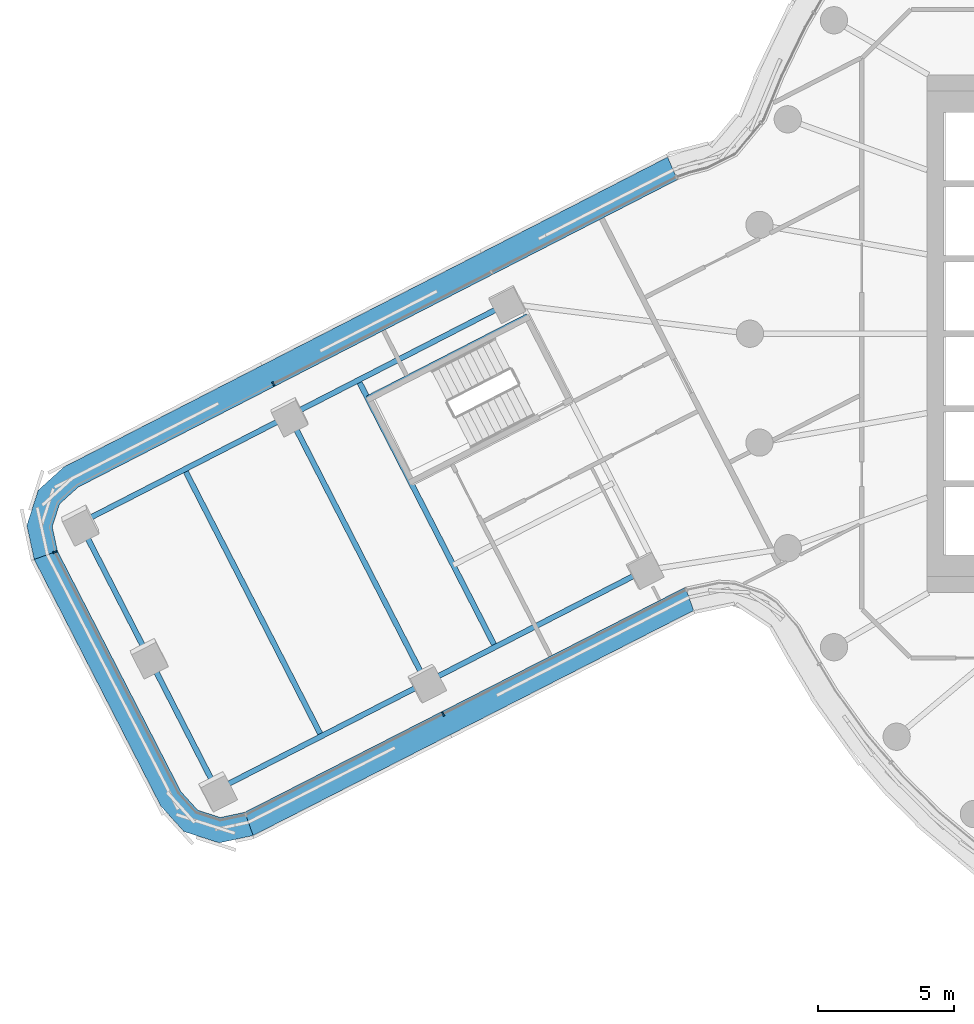
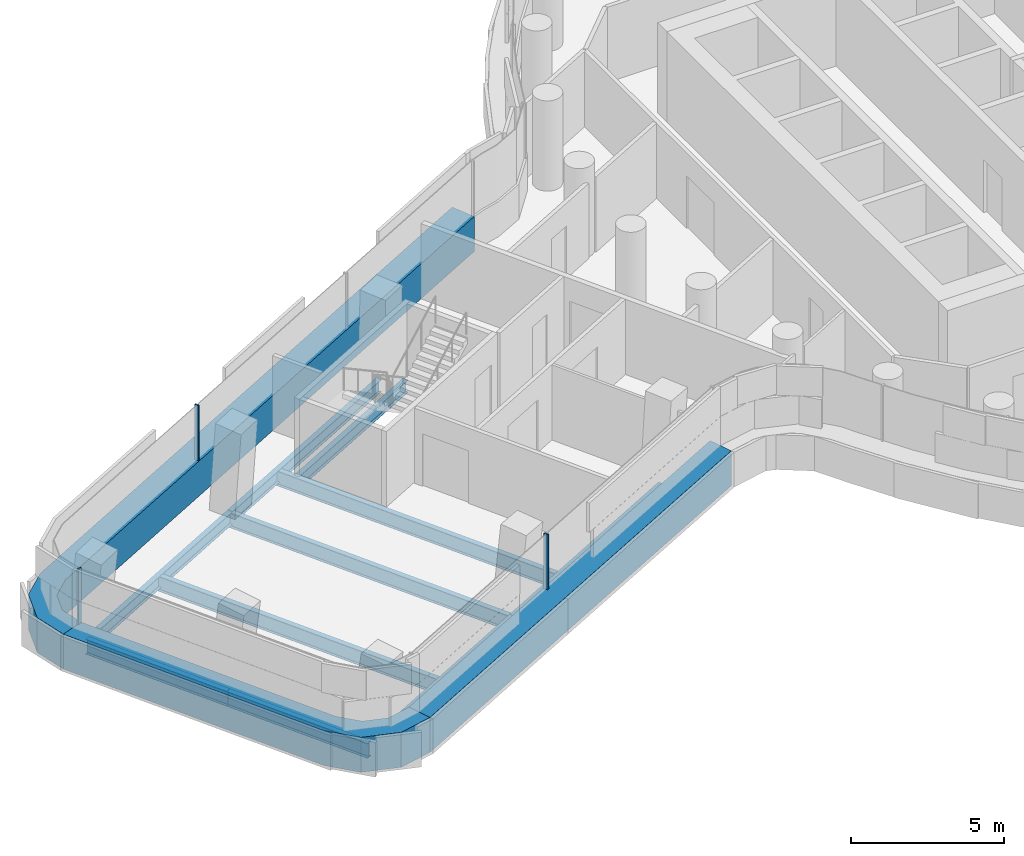
# One storey, part 7 of 37: 10 beams, 6 members, 3 elements without a shape of their own.
"""IFC4 building model written with IfcOpenShell, lengths in metres."""

from ifc_helpers import new_model, si_unit, direction, frame, origin, origin_2d, place, context, subcontext, project, spatial, polyline, rectangle, i_section, outline, extrude, material, layer, layer_set, material_profile, profile_set, type_object, element, aggregate, save


model = new_model("IFC4")

# Units and contexts
model_context = context("Model", 3, precision=1e-05, world=origin(), true_north=direction((0.0, 1.0)))
body_context = subcontext(model_context, "Body", "Model", "MODEL_VIEW")
ifc_project = project(units=[si_unit("LENGTHUNIT", "METRE"), si_unit("AREAUNIT", "SQUARE_METRE"), si_unit("VOLUMEUNIT", "CUBIC_METRE"), si_unit("PLANEANGLEUNIT", "RADIAN"), si_unit("MASSUNIT", "GRAM", prefix="KILO")], contexts=[model_context])

# Site, building, storey
site_placement = place(None, origin())
site = spatial("IfcSite", under=ifc_project, at=site_placement, CompositionType="ELEMENT")
building_placement = place(site_placement, origin())
building = spatial("IfcBuilding", under=site, at=building_placement, Name="Tamarind Cross Interchange Tower", CompositionType="ELEMENT")
storey_placement = place(building_placement, frame((0.0, 0.0, 133.0)))
storey = spatial("IfcBuildingStorey", under=building, at=storey_placement, Name="L32", CompositionType="ELEMENT", Elevation=133.0)

# Beams
ifc_material_1 = material(Name="Steel Q355B", Category="steel")
ifc_material_profile_1 = material_profile(ifc_material_1, i_section(OverallWidth=0.198974609375, OverallDepth=0.49609375, WebThickness=0.009033203125, FlangeThickness=0.013916015625, FilletRadius=0.012939453125, at=origin_2d()), Name="HN 496x199x9x14")
ifc_profile_set_1 = profile_set([ifc_material_profile_1], Name="Steel Q355B")
beam_type_1 = type_object("IfcBeamType", Name="Composite beam HN 496x199x9x14 Q355B", PredefinedType="BEAM", material=ifc_profile_set_1)
beam_1_placement = place(storey_placement, frame((-47.58251953125, -6.946044921875, -0.387939453125), z_axis=(0.88969434229, 0.456556652888, 0.0), x_axis=(-0.456556652888, 0.88969434229, 0.0)))
element("IfcBeam", 1, at=beam_1_placement, inside=storey, type_object=beam_type_1, Name="Beam W-edgeem5", PredefinedType="BEAM", context=body_context, shape_type="SweptSolid", body=[
    extrude(i_section(OverallWidth=0.198974609375, OverallDepth=0.49609375, WebThickness=0.009033203125, FlangeThickness=0.013916015625, FilletRadius=0.012939453125, at=origin_2d()), origin(), (0.0, 0.0, 1.0), 8.6318359375),
])
beam_2_placement = place(storey_placement, frame((-39.90283203125, -3.005126953125, -0.387939453125), z_axis=(0.889690622216, 0.456563902144, 0.0), x_axis=(-0.456563902144, 0.889690622216, 0.0)))
element("IfcBeam", 2, at=beam_2_placement, inside=storey, type_object=beam_type_1, Name="Beam W-edgeem6", PredefinedType="BEAM", context=body_context, shape_type="SweptSolid", body=[
    extrude(i_section(OverallWidth=0.198974609375, OverallDepth=0.49609375, WebThickness=0.009033203125, FlangeThickness=0.013916015625, FilletRadius=0.012939453125, at=origin_2d()), origin(), (0.0, 0.0, 1.0), 9.000244140625),
])
beam_3_placement = place(storey_placement, frame((-42.560546875, -16.732666015625, -0.387939453125), z_axis=(0.88970023765, 0.456545164388, 0.0), x_axis=(-0.456545164388, 0.88970023765, 0.0)))
element("IfcBeam", 3, at=beam_3_placement, inside=storey, type_object=beam_type_1, Name="Beam W-edgeep2", PredefinedType="BEAM", context=body_context, shape_type="SweptSolid", body=[
    extrude(i_section(OverallWidth=0.198974609375, OverallDepth=0.49609375, WebThickness=0.009033203125, FlangeThickness=0.013916015625, FilletRadius=0.012939453125, at=origin_2d()), origin(), (0.0, 0.0, 1.0), 8.632080078125),
])
beam_4_placement = place(storey_placement, frame((-34.880615234375, -12.791748046875, -0.387939453125), z_axis=(0.889684967504, 0.456574921122, 0.0), x_axis=(-0.456574921122, 0.889684967504, 0.0)))
element("IfcBeam", 4, at=beam_4_placement, inside=storey, type_object=beam_type_1, Name="Beam W-edgeep3", PredefinedType="BEAM", context=body_context, shape_type="SweptSolid", body=[
    extrude(i_section(OverallWidth=0.198974609375, OverallDepth=0.49609375, WebThickness=0.009033203125, FlangeThickness=0.013916015625, FilletRadius=0.012939453125, at=origin_2d()), origin(), (0.0, 0.0, 1.0), 9.0),
])
beam_5_placement = place(storey_placement, frame((-31.15283203125, 0.64208984375, -0.387939453125), z_axis=(-0.889694958501, -0.456555452073, 0.0), x_axis=(0.456555452073, -0.889694958501, 0.0)))
element("IfcBeam", 5, at=beam_5_placement, inside=storey, type_object=beam_type_1, Name="Beam W-tr0", PredefinedType="BEAM", context=body_context, shape_type="SweptSolid", body=[
    extrude(i_section(OverallWidth=0.198974609375, OverallDepth=0.49609375, WebThickness=0.009033203125, FlangeThickness=0.013916015625, FilletRadius=0.012939453125, at=origin_2d()), origin(), (0.0, 0.0, 1.0), 6.599853515625),
])
ifc_material_profile_2 = material_profile(ifc_material_1, i_section(OverallWidth=0.199951171875, OverallDepth=0.60009765625, WebThickness=0.010986328125, FlangeThickness=0.01708984375, FilletRadius=0.012939453125, at=origin_2d()), Name="HN 600x200x11x17")
ifc_profile_set_2 = profile_set([ifc_material_profile_2], Name="Steel Q355B")
beam_type_2 = type_object("IfcBeamType", Name="Composite beam HN 600x200x11x17 Q355B", PredefinedType="BEAM", material=ifc_profile_set_2)
for number, where, z_axis, x_axis, name in (
    (6, (-47.58251953125, -6.946044921875, -0.43994140625), (0.456546436643, -0.889699584797, 0.0), (0.889699584797, 0.456546436643, 0.0), "Beam W-tip0"),
    (7, (-45.071533203125, -11.83935546875, -0.43994140625), (0.456546436643, -0.889699584797, 0.0), (0.889699584797, 0.456546436643, 0.0), "Beam W-tip1"),
):
    element("IfcBeam", number, at=place(storey_placement, frame(where, z_axis=z_axis, x_axis=x_axis)), inside=storey, type_object=beam_type_2, Name=name, PredefinedType="BEAM", context=body_context, shape_type="SweptSolid", body=[
        extrude(i_section(OverallWidth=0.199951171875, OverallDepth=0.60009765625, WebThickness=0.010986328125, FlangeThickness=0.01708984375, FilletRadius=0.012939453125, at=origin_2d()), origin(), (0.0, 0.0, 1.0), 5.5),
    ])
for number, where, z_axis, x_axis, name in (
    (8, (-37.3671875, -1.703857421875, -0.43994140625), (0.456564004988, -0.889690569439, 0.0), (0.889690569439, 0.456564004988, 0.0), "Beam W-x364"),
    (9, (-39.90283203125, -3.005126953125, -0.43994140625), (0.456564004988, -0.889690569439, 0.0), (0.889690569439, 0.456564004988, 0.0), "Beam W-x393"),
    (10, (-43.74267578125, -4.9755859375, -0.43994140625), (0.456546436643, -0.889699584797, 0.0), (0.889699584797, 0.456546436643, 0.0), "Beam W-x436"),
):
    element("IfcBeam", number, at=place(storey_placement, frame(where, z_axis=z_axis, x_axis=x_axis)), inside=storey, type_object=beam_type_2, Name=name, PredefinedType="BEAM", context=body_context, shape_type="SweptSolid", body=[
        extrude(i_section(OverallWidth=0.199951171875, OverallDepth=0.60009765625, WebThickness=0.010986328125, FlangeThickness=0.01708984375, FilletRadius=0.012939453125, at=origin_2d()), origin(), (0.0, 0.0, 1.0), 11.0),
    ])

# Curtain wall, member
ifc_material_2 = material(Name="Aluminium 6063-T6", Category="aluminium")
ifc_layer = layer(ifc_material_2, 0.159912109375)
ifc_layer_set = layer_set([ifc_layer], Name="Aluminium 6063-T6")
curtain_wall_type = type_object("IfcCurtainWallType", Name="Office curtain wall, 9.0 m bays", PredefinedType="NOTDEFINED", material=ifc_layer_set)
curtain_wall_1_placement = place(storey_placement, origin())
curtain_wall_1 = element("IfcCurtainWall", 11, at=curtain_wall_1_placement, inside=storey, type_object=curtain_wall_type, Name="CWS-L32-00", PredefinedType="NOTDEFINED")
ifc_material_3 = material(Name="Aluminium and insulated spandrel panel", Category="aluminium")
member_type_1 = type_object("IfcMemberType", Name="Floor-edge blade transom", PredefinedType="USERDEFINED", material=ifc_material_3)
member_1_placement = place(storey_placement, origin())
member_1 = element("IfcMember", 12, at=member_1_placement, type_object=member_type_1, Name="CWT-L32-00", ObjectType="TRANSOM", PredefinedType="USERDEFINED", context=body_context, shape_type="SweptSolid", body=[
    extrude(outline(polyline([(-48.404052734375, -7.973876953125), (-43.87451171875, -16.800537109375), (-43.260009765625, -17.47900390625), (-42.427490234375, -17.746826171875), (-41.532470703125, -17.553955078125), (-41.227783203125, -18.408935546875), (-42.4736328125, -18.677490234375), (-43.76513671875, -18.261962890625), (-44.62109375, -17.31689453125), (-49.2587890625, -8.279296875), (-48.404052734375, -7.973876953125)])), origin(), (0.0, 0.0, 1.0), 1.39990234375),
])

curtain_wall_2_placement = place(storey_placement, origin())
curtain_wall_2 = element("IfcCurtainWall", 13, at=curtain_wall_2_placement, inside=storey, type_object=curtain_wall_type, Name="CWS-L32-01", PredefinedType="NOTDEFINED")
member_2_placement = place(storey_placement, origin())
member_2 = element("IfcMember", 14, at=member_2_placement, type_object=member_type_1, Name="CWT-L32-01", ObjectType="TRANSOM", PredefinedType="USERDEFINED", context=body_context, shape_type="SweptSolid", body=[
    extrude(outline(polyline([(-41.532470703125, -17.553955078125), (-25.368408203125, -9.29833984375), (-25.065185546875, -10.154052734375), (-41.227783203125, -18.408935546875), (-41.532470703125, -17.553955078125)])), origin(), (0.0, 0.0, 1.0), 1.39990234375),
])

curtain_wall_3_placement = place(storey_placement, origin())
curtain_wall_3 = element("IfcCurtainWall", 15, at=curtain_wall_3_placement, inside=storey, type_object=curtain_wall_type, Name="CWS-L32-15", PredefinedType="NOTDEFINED")
member_3_placement = place(storey_placement, origin())
member_3 = element("IfcMember", 16, at=member_3_placement, type_object=member_type_1, Name="CWT-L32-15", ObjectType="TRANSOM", PredefinedType="USERDEFINED", context=body_context, shape_type="SweptSolid", body=[
    extrude(outline(polyline([(-25.662109375, 5.6513671875), (-47.650390625, -5.632080078125), (-48.3291015625, -6.24658203125), (-48.596923828125, -7.078857421875), (-48.404052734375, -7.973876953125), (-49.2587890625, -8.279296875), (-49.52734375, -7.032958984375), (-49.11181640625, -5.7412109375), (-48.166748046875, -4.88525390625), (-26.0205078125, 6.47900390625), (-25.662109375, 5.6513671875)])), origin(), (0.0, 0.0, 1.0), 1.39990234375),
])

# Member
ifc_material_profile_3 = material_profile(ifc_material_2, rectangle(XDim=0.06005859375, YDim=0.159912109375, at=origin_2d()), Name="Mullion CW1")
ifc_profile_set_3 = profile_set([ifc_material_profile_3], Name="Aluminium 6063-T6")
member_type_2 = type_object("IfcMemberType", Name="Mullion CW1", PredefinedType="MULLION", material=ifc_profile_set_3)
member_4_placement = place(storey_placement, frame((-48.4990234375, -8.0078125, 1.39990234375), z_axis=(0.0, 0.0, 1.0), x_axis=(0.336516796863, -0.941677463588, 0.0)))
member_4 = element("IfcMember", 17, at=member_4_placement, type_object=member_type_2, Name="CWM-L32-00-00", PredefinedType="MULLION", context=body_context, shape_type="SweptSolid", body=[
    extrude(rectangle(XDim=0.06005859375, YDim=0.159912109375, at=origin_2d()), origin(), (0.0, 0.0, 1.0), 2.210205078125),
])

aggregate(curtain_wall_1, [member_4, member_1])

member_5_placement = place(storey_placement, frame((-34.25634765625, -13.949951171875, 1.39990234375), z_axis=(0.0, 0.0, 1.0), x_axis=(0.890569845562, 0.454846512766, 0.0)))
member_5 = element("IfcMember", 18, at=member_5_placement, type_object=member_type_2, Name="CWM-L32-01-01", PredefinedType="MULLION", context=body_context, shape_type="SweptSolid", body=[
    extrude(rectangle(XDim=0.06005859375, YDim=0.159912109375, at=origin_2d()), origin(), (0.0, 0.0, 1.0), 2.210205078125),
])

aggregate(curtain_wall_2, [member_5, member_2])

member_6_placement = place(storey_placement, frame((-40.484375, -1.84228515625, 1.39990234375), z_axis=(0.0, 0.0, 1.0), x_axis=(-0.889697026233, -0.456551422638, 0.0)))
member_6 = element("IfcMember", 19, at=member_6_placement, type_object=member_type_2, Name="CWM-L32-15-02", PredefinedType="MULLION", context=body_context, shape_type="SweptSolid", body=[
    extrude(rectangle(XDim=0.06005859375, YDim=0.159912109375, at=origin_2d()), origin(), (0.0, 0.0, 1.0), 2.210205078125),
])

aggregate(curtain_wall_3, [member_6, member_3])

save(model, "model.ifc")
